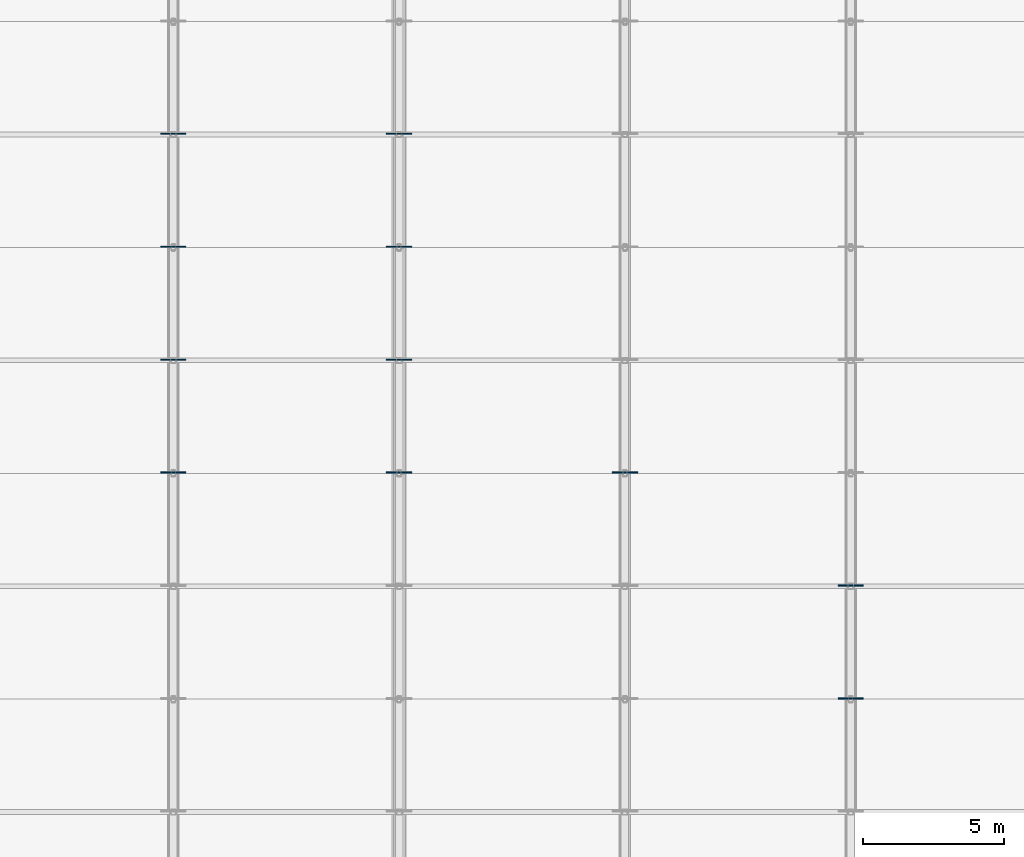
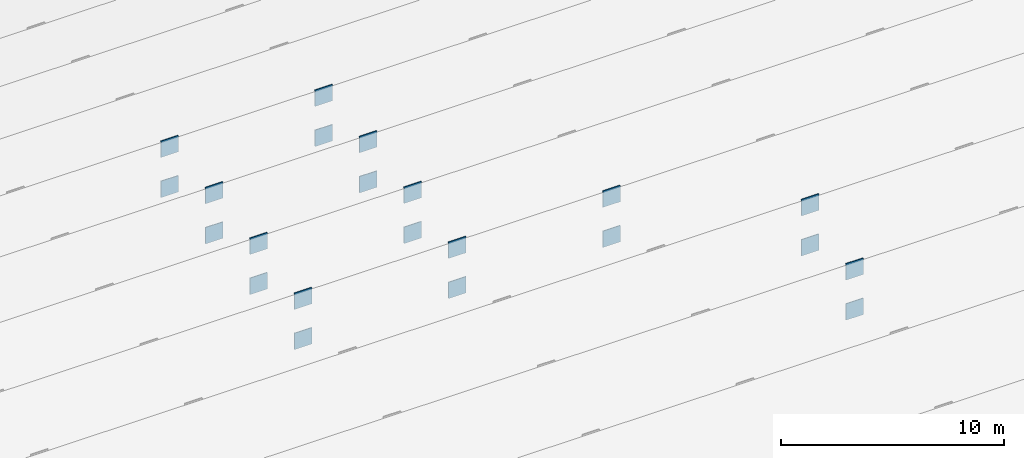
# One storey, part 71 of 98: 22 plates.
"""IFC4 building model written with IfcOpenShell, lengths in metres."""

import ifcopenshell
import ifcopenshell.guid

model = None  # the IFC model being written
_history = None  # IfcOwnerHistory: only IFC2X3 demands one
_inside = {}  # id of a spatial element -> (the spatial element, [elements in it])
_under = {}  # id of a project, library or spatial element -> (it, [spatial elements below it])
_declared = {}  # id of a project -> (the project, [libraries it declares])
_typed = {}  # id of a type object -> (the type object, [elements of that type])
_made_of = {}  # id of a material, layer set ... -> (it, [elements and type objects made of it])


def new_model(schema):
    """Start an empty IFC model of exactly this schema.

    Asked for "IFC4X3", IfcOpenShell would pick the latest addendum, in which some entities
    have other attributes; the version numbers below select the first issue.
    IFC2X3 requires an IfcOwnerHistory on every rooted entity: one is made here for all.
    """
    global model, _history
    if schema == "IFC4X3":
        model = ifcopenshell.file(schema_version=(4, 3, 0, 0))
    else:
        model = ifcopenshell.file(schema=schema)
    _inside.clear()
    _under.clear()
    _declared.clear()
    _typed.clear()
    _made_of.clear()
    _history = None
    if model.schema == "IFC2X3":
        org = make("IfcOrganization", Name="unknown")
        user = make(
            "IfcPersonAndOrganization",
            ThePerson=make("IfcPerson", FamilyName="unknown"),
            TheOrganization=org,
        )
        app = make(
            "IfcApplication",
            ApplicationDeveloper=org,
            Version="unknown",
            ApplicationFullName="unknown",
            ApplicationIdentifier="unknown",
        )
        _history = make(
            "IfcOwnerHistory",
            OwningUser=user,
            OwningApplication=app,
            ChangeAction="ADDED",
            CreationDate=0,
        )
    return model


def make(cls, **values):
    """One entity of the class cls with the attributes given. An attribute that is None is left unset."""
    return model.create_entity(
        cls, **{name: value for name, value in values.items() if value is not None}
    )


def rooted(cls, **values):
    """An entity with a GlobalId (a new one), such as an element, a storey or a relation."""
    return make(cls, GlobalId=ifcopenshell.guid.new(), OwnerHistory=_history, **values)


def si_unit(unit_type, name, prefix=None):
    """IfcSIUnit, for example si_unit("LENGTHUNIT", "METRE", prefix="MILLI")."""
    return make("IfcSIUnit", UnitType=unit_type, Prefix=prefix, Name=name)


def assignment(units):
    """IfcUnitAssignment: the units of a project."""
    return None if units is None else make("IfcUnitAssignment", Units=units)


def point(xyz):
    """IfcCartesianPoint."""
    return None if xyz is None else make("IfcCartesianPoint", Coordinates=xyz)


def direction(xyz):
    """IfcDirection."""
    return None if xyz is None else make("IfcDirection", DirectionRatios=xyz)


def frame(location, z_axis=None, x_axis=None):
    """IfcAxis2Placement3D, a coordinate frame: its origin and axes. An axis left out is left unset."""
    return make(
        "IfcAxis2Placement3D",
        Location=point(location),
        Axis=direction(z_axis),
        RefDirection=direction(x_axis),
    )


def frame_2d(location, x_axis=None):
    """IfcAxis2Placement2D, a coordinate frame in the plane: its origin and x axis."""
    return make(
        "IfcAxis2Placement2D", Location=point(location), RefDirection=direction(x_axis)
    )


def origin():
    """The frame at (0, 0, 0) with its axes left unset."""
    return frame((0.0, 0.0, 0.0))


def origin_2d():
    """The frame at (0, 0) in the plane with its x axis left unset."""
    return frame_2d((0.0, 0.0))


def place(relative_to, where):
    """IfcLocalPlacement: puts the frame where relative to a parent placement (None: the world)."""
    return make(
        "IfcLocalPlacement", PlacementRelTo=relative_to, RelativePlacement=where
    )


def context(
    kind, dimensions, precision=None, world=None, true_north=None, identifier=None
):
    """IfcGeometricRepresentationContext, for example the 3D "Model" context."""
    return make(
        "IfcGeometricRepresentationContext",
        ContextIdentifier=identifier,
        ContextType=kind,
        CoordinateSpaceDimension=dimensions,
        Precision=precision,
        WorldCoordinateSystem=world,
        TrueNorth=true_north,
    )


def subcontext(parent, identifier, kind, view, scale=None):
    """IfcGeometricRepresentationSubContext, for example "Body" below "Model"."""
    return make(
        "IfcGeometricRepresentationSubContext",
        ContextIdentifier=identifier,
        ContextType=kind,
        ParentContext=parent,
        TargetScale=scale,
        TargetView=view,
    )


def project(units=None, contexts=None):
    """IfcProject with its units and contexts."""
    return rooted(
        "IfcProject",
        Name="project",
        RepresentationContexts=contexts,
        UnitsInContext=assignment(units),
    )


def spatial(cls, under=None, at=None, **own):
    """A site, building, storey or space (cls), placed at a placement, below another one or the project."""
    s = rooted(cls, ObjectPlacement=at, **own)
    if under is not None:
        _under.setdefault(under.id(), (under, []))[1].append(s)
    return s


def profile(cls, at=None, kind="AREA", **sizes):
    """A parametric profile (cls). Its sizes go by their IFC names, for example OverallWidth=200.0."""
    return make(cls, ProfileType=kind, Position=at, **sizes)


def rectangle(**sizes):
    """IfcRectangleProfileDef."""
    return profile("IfcRectangleProfileDef", **sizes)


def extrude(swept, where, along, depth):
    """IfcExtrudedAreaSolid: the profile swept, set in the frame where, extruded along a direction by depth."""
    return make(
        "IfcExtrudedAreaSolid",
        SweptArea=swept,
        Position=where,
        ExtrudedDirection=direction(along),
        Depth=depth,
    )


def shape(context_of_items, identifier, shape_type, items):
    """IfcShapeRepresentation: the items that make up one representation, for example the "Body"."""
    return make(
        "IfcShapeRepresentation",
        ContextOfItems=context_of_items,
        RepresentationIdentifier=identifier,
        RepresentationType=shape_type,
        Items=items,
    )


def material(Name=None, Category=None):
    """IfcMaterial."""
    return make("IfcMaterial", Name=Name, Category=Category)


def layer(
    of_material, thickness, ventilated=None, Name=None, Category=None, Priority=None
):
    """IfcMaterialLayer: one layer of a wall or slab, of a material (None: an air gap)."""
    return make(
        "IfcMaterialLayer",
        Material=of_material,
        LayerThickness=thickness,
        IsVentilated=ventilated,
        Name=Name,
        Category=Category,
        Priority=Priority,
    )


def layer_set(layers, Name=None):
    """IfcMaterialLayerSet."""
    return make("IfcMaterialLayerSet", MaterialLayers=layers, LayerSetName=Name)


def made_of(thing, what):
    """Note that an element or type object is made of a material, layer set ...; save() writes the relation."""
    if what is not None:
        _made_of.setdefault(what.id(), (what, []))[1].append(thing)
    return thing


def type_object(cls, material=None, **own):
    """A type object (cls), such as IfcWallType, which elements share."""
    return made_of(rooted(cls, **own), material)


def element(
    cls,
    number,
    at=None,
    inside=None,
    cuts=None,
    type_object=None,
    material=None,
    context=None,
    identifier="Body",
    shape_type=None,
    held_by="IfcProductDefinitionShape",
    body=None,
    shapes=None,
    **own,
):
    """One element of the class cls, such as IfcWall. Its Tag is "e" and its number.

    at: its placement. inside: the storey or other place that contains it. cuts: it is an
    opening in that element (IfcRelVoidsElement). A single representation is given by context,
    identifier, shape_type and body (its items); several are given by shapes. held_by: the class
    of the entity that holds the representations. save() writes the other relations.
    """
    e = rooted(cls, Tag="e%d" % number, ObjectPlacement=at, **own)
    if body is not None:
        shapes = [shape(context, identifier, shape_type, body)]
    if shapes is not None:
        e.Representation = make(held_by, Representations=shapes)
    if inside is not None:
        _inside.setdefault(inside.id(), (inside, []))[1].append(e)
    if cuts is not None:
        rooted(
            "IfcRelVoidsElement", RelatingBuildingElement=cuts, RelatedOpeningElement=e
        )
    if type_object is not None:
        _typed.setdefault(type_object.id(), (type_object, []))[1].append(e)
    return made_of(e, material)


def aggregate(whole, parts):
    """IfcRelAggregates: a whole, such as a stair, and the parts it consists of."""
    return rooted("IfcRelAggregates", RelatingObject=whole, RelatedObjects=parts)


def save(model, path):
    """Write the relations noted so far, then the file.

    IfcRelAggregates (storeys below a building ...), IfcRelContainedInSpatialStructure (elements
    in a storey), IfcRelDefinesByType, IfcRelAssociatesMaterial and IfcRelDeclares: one each for
    every whole, place, type object, material and project.
    """
    for whole, parts in _under.values():
        aggregate(whole, parts)
    for where, things in _inside.values():
        rooted(
            "IfcRelContainedInSpatialStructure",
            RelatedElements=things,
            RelatingStructure=where,
        )
    for kind, things in _typed.values():
        rooted("IfcRelDefinesByType", RelatedObjects=things, RelatingType=kind)
    for what, things in _made_of.values():
        rooted("IfcRelAssociatesMaterial", RelatedObjects=things, RelatingMaterial=what)
    for by, libraries in _declared.values():
        rooted("IfcRelDeclares", RelatingContext=by, RelatedDefinitions=libraries)
    model.write(path)


model = new_model("IFC4")

# Units and contexts
model_context = context("Model", 3, precision=1e-05, world=origin(), true_north=direction((0.0, 1.0)))
body_context = subcontext(model_context, "Body", "Model", "MODEL_VIEW")
ifc_project = project(units=[si_unit("LENGTHUNIT", "METRE"), si_unit("AREAUNIT", "SQUARE_METRE"), si_unit("VOLUMEUNIT", "CUBIC_METRE"), si_unit("PLANEANGLEUNIT", "RADIAN"), si_unit("MASSUNIT", "GRAM", prefix="KILO")], contexts=[model_context])

# Site, building, storey
site_placement = place(None, origin())
site = spatial("IfcSite", under=ifc_project, at=site_placement, CompositionType="ELEMENT")
building_placement = place(site_placement, origin())
building = spatial("IfcBuilding", under=site, at=building_placement, Name="Tlacozan Convention Centre", CompositionType="ELEMENT")
storey_placement = place(building_placement, frame((0.0, 0.0, 25.800048828125)))
storey = spatial("IfcBuildingStorey", under=building, at=storey_placement, Name="Roof", CompositionType="ELEMENT", Elevation=25.800048828125)

# Plates
ifc_material = material(Name="Steel ASTM A572 Grade 50", Category="steel")
ifc_layer = layer(ifc_material, 0.044921875)
ifc_layer_set = layer_set([ifc_layer], Name="Steel ASTM A572 Grade 50")
plate_type = type_object("IfcPlateType", Name="Arch Springing Node Gusset Plate", PredefinedType="SHEET", material=ifc_layer_set)
for number, where, z_axis, x_axis, name in (
    (1, (64.0, 82.02587890625, -4.11181640625), (0.0, 0.0, 1.0), (0.0, 1.0, 0.0), "Roof Gusset Cap Plate 283"),
    (2, (64.0, 82.02587890625, -6.311767578125), (0.0, 0.0, 1.0), (0.0, 1.0, 0.0), "Roof Gusset Cap Plate 284"),
    (3, (64.0, 86.026123046875, -3.518310546875), (0.0, 0.0, 1.0), (0.0, 1.0, 0.0), "Roof Gusset Cap Plate 285"),
    (4, (64.0, 86.026123046875, -5.71826171875), (0.0, 0.0, 1.0), (0.0, 1.0, 0.0), "Roof Gusset Cap Plate 286"),
    (5, (64.0, 90.0263671875, -3.165283203125), (0.0, 0.0, 1.0), (0.0, 1.0, 0.0), "Roof Gusset Cap Plate 287"),
    (6, (64.0, 90.0263671875, -5.365478515625), (0.0, 0.0, 1.0), (0.0, 1.0, 0.0), "Roof Gusset Cap Plate 288"),
    (7, (64.0, 94.026611328125, -3.04931640625), (0.0, 0.0, 1.0), (0.0, 1.0, 0.0), "Roof Gusset Cap Plate 289"),
    (8, (64.0, 94.026611328125, -5.249267578125), (0.0, 0.0, 1.0), (0.0, 1.0, 0.0), "Roof Gusset Cap Plate 290"),
    (9, (72.0, 82.02587890625, -4.11181640625), (0.0, 0.0, 1.0), (0.0, 1.0, 0.0), "Roof Gusset Cap Plate 317"),
    (10, (72.0, 82.02587890625, -6.311767578125), (0.0, 0.0, 1.0), (0.0, 1.0, 0.0), "Roof Gusset Cap Plate 318"),
    (11, (72.0, 86.026123046875, -3.518310546875), (0.0, 0.0, 1.0), (0.0, 1.0, 0.0), "Roof Gusset Cap Plate 319"),
    (12, (72.0, 86.026123046875, -5.71826171875), (0.0, 0.0, 1.0), (0.0, 1.0, 0.0), "Roof Gusset Cap Plate 320"),
    (13, (72.0, 90.0263671875, -3.165283203125), (0.0, 0.0, 1.0), (0.0, 1.0, 0.0), "Roof Gusset Cap Plate 321"),
    (14, (72.0, 90.0263671875, -5.365478515625), (0.0, 0.0, 1.0), (0.0, 1.0, 0.0), "Roof Gusset Cap Plate 322"),
    (15, (72.0, 94.026611328125, -3.04931640625), (0.0, 0.0, 1.0), (0.0, 1.0, 0.0), "Roof Gusset Cap Plate 323"),
    (16, (72.0, 94.026611328125, -5.249267578125), (0.0, 0.0, 1.0), (0.0, 1.0, 0.0), "Roof Gusset Cap Plate 324"),
    (17, (80.0, 82.02587890625, -4.11181640625), (0.0, 0.0, 1.0), (0.0, 1.0, 0.0), "Roof Gusset Cap Plate 351"),
    (18, (80.0, 82.02587890625, -6.311767578125), (0.0, 0.0, 1.0), (0.0, 1.0, 0.0), "Roof Gusset Cap Plate 352"),
    (19, (88.0, 74.025146484375, -6.049072265625), (0.0, 0.0, 1.0), (0.0, 1.0, 0.0), "Roof Gusset Cap Plate 381"),
    (20, (88.0, 74.025146484375, -8.2490234375), (0.0, 0.0, 1.0), (0.0, 1.0, 0.0), "Roof Gusset Cap Plate 382"),
    (21, (88.0, 78.025634765625, -4.9521484375), (0.0, 0.0, 1.0), (0.0, 1.0, 0.0), "Roof Gusset Cap Plate 383"),
    (22, (88.0, 78.025634765625, -7.152099609375), (0.0, 0.0, 1.0), (0.0, 1.0, 0.0), "Roof Gusset Cap Plate 384"),
):
    element("IfcPlate", number, at=place(storey_placement, frame(where, z_axis=z_axis, x_axis=x_axis)), inside=storey, type_object=plate_type, Name=name, PredefinedType="SHEET", context=body_context, shape_type="SweptSolid", body=[
        extrude(rectangle(XDim=0.044921875, YDim=0.89990234375, at=origin_2d()), origin(), (0.0, 0.0, 1.0), 0.89990234375),
    ])

save(model, "model.ifc")
